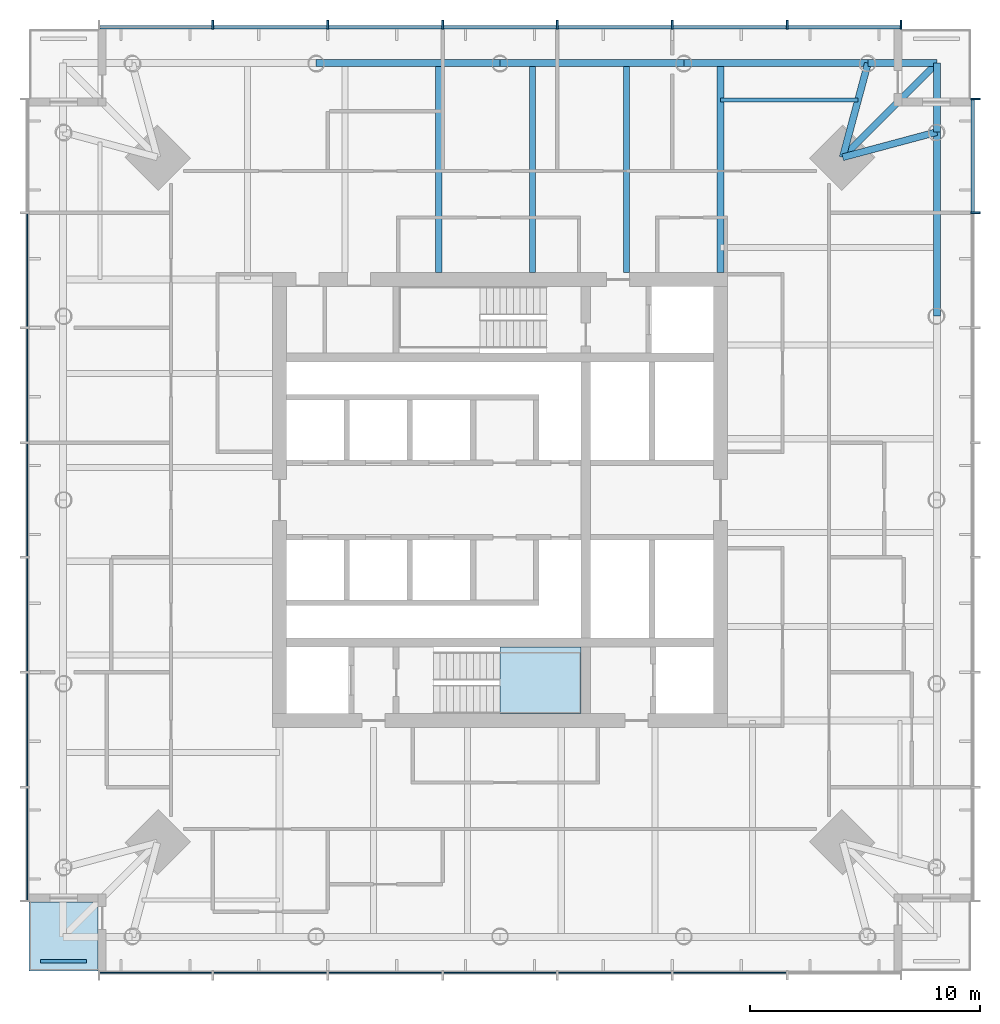
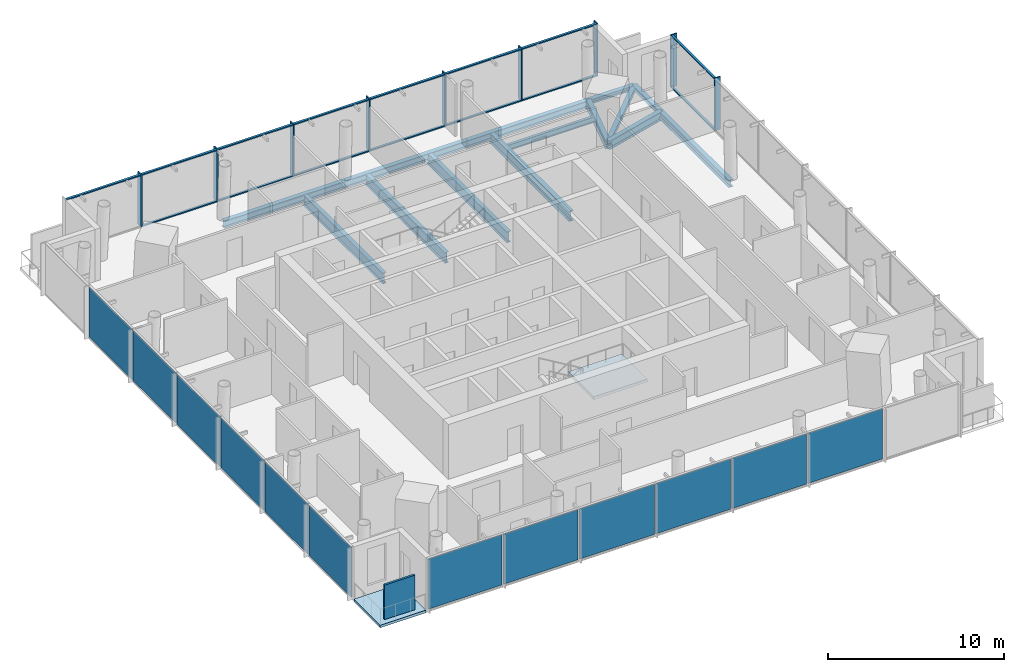
# One storey, part 3 of 9: 24 members, 14 beams, 13 plates, 2 slabs, 5 elements without a shape of their own.
"""IFC4 building model written with IfcOpenShell, lengths in metres."""

from ifc_helpers import new_model, si_unit, direction, frame, origin, origin_2d, place, context, subcontext, project, spatial, polyline, rectangle, i_section, outline, extrude, material, layer, layer_set, material_profile, profile_set, type_object, element, aggregate, save


model = new_model("IFC4")

# Units and contexts
model_context = context("Model", 3, precision=1e-05, world=origin(), true_north=direction((0.0, 1.0)))
body_context = subcontext(model_context, "Body", "Model", "MODEL_VIEW")
ifc_project = project(units=[si_unit("LENGTHUNIT", "METRE"), si_unit("AREAUNIT", "SQUARE_METRE"), si_unit("VOLUMEUNIT", "CUBIC_METRE"), si_unit("PLANEANGLEUNIT", "RADIAN"), si_unit("MASSUNIT", "GRAM", prefix="KILO")], contexts=[model_context])

# Site, building, storey
site_placement = place(None, origin())
site = spatial("IfcSite", under=ifc_project, at=site_placement, CompositionType="ELEMENT")
building_placement = place(site_placement, origin())
building = spatial("IfcBuilding", under=site, at=building_placement, Name="Ostroluk Exchange", CompositionType="ELEMENT")
storey_placement = place(building_placement, frame((0.0, 0.0, 176.800048828125)))
storey = spatial("IfcBuildingStorey", under=building, at=storey_placement, Name="L45", CompositionType="ELEMENT", Elevation=176.800048828125)

# Beams
ifc_material_1 = material(Name="Steel S355", Category="steel")
ifc_material_profile_1 = material_profile(ifc_material_1, i_section(OverallWidth=0.300048828125, OverallDepth=0.300048828125, WebThickness=0.010986328125, FlangeThickness=0.01904296875, FilletRadius=0.027099609375, at=origin_2d()), Name="HEB 300")
ifc_profile_set_1 = profile_set([ifc_material_profile_1], Name="Steel S355")
beam_type_1 = type_object("IfcBeamType", Name="Balcony beam HEB 300", PredefinedType="BEAM", material=ifc_profile_set_1)
for number, where, z_axis, x_axis, name in (
    (1, (64.021484375, 62.021484375, -0.330078125), (0.0, 1.0, 0.0), (-1.0, 0.0, 0.0), "T1 east balcony beam a"),
    (2, (61.021484375, 65.021484375, -0.330078125), (1.0, 0.0, 0.0), (0.0, 1.0, 0.0), "T1 east balcony beam b"),
):
    element("IfcBeam", number, at=place(storey_placement, frame(where, z_axis=z_axis, x_axis=x_axis)), inside=storey, type_object=beam_type_1, Name=name, PredefinedType="BEAM", context=body_context, shape_type="SweptSolid", body=[
        extrude(i_section(OverallWidth=0.300048828125, OverallDepth=0.300048828125, WebThickness=0.010986328125, FlangeThickness=0.01904296875, FilletRadius=0.027099609375, at=origin_2d()), origin(), (0.0, 0.0, 1.0), 3.0),
    ])
beam_1_placement = place(storey_placement, frame((59.92138671875, 60.92138671875, -0.330078125), z_axis=(0.707106781187, 0.707106781187, 0.0), x_axis=(-0.707106781187, 0.707106781187, 0.0)))
element("IfcBeam", 3, at=beam_1_placement, inside=storey, type_object=beam_type_1, Name="T1 east balcony beam c", PredefinedType="BEAM", context=body_context, shape_type="SweptSolid", body=[
    extrude(i_section(OverallWidth=0.300048828125, OverallDepth=0.300048828125, WebThickness=0.010986328125, FlangeThickness=0.01904296875, FilletRadius=0.027099609375, at=origin_2d()), origin(), (0.0, 0.0, 1.0), 5.79833984375),
])
ifc_material_2 = material(Name="Steel S355", Category="steel")
ifc_material_profile_2 = material_profile(ifc_material_2, i_section(OverallWidth=0.300048828125, OverallDepth=0.60009765625, WebThickness=0.015380859375, FlangeThickness=0.030029296875, FilletRadius=0.027099609375, at=origin_2d()), Name="HEB 600")
ifc_profile_set_2 = profile_set([ifc_material_profile_2], Name="Steel S355")
beam_type_2 = type_object("IfcBeamType", Name="Corner edge beam HEB 600", PredefinedType="SPANDREL", material=ifc_profile_set_2)
for number, where, z_axis, x_axis, name in (
    (4, (59.92138671875, 60.92138671875, -0.47998046875), (0.965838624319, 0.259144268261, 0.0), (-0.259144268261, 0.965838624319, 0.0), "T1 east corner edge beam a"),
    (5, (59.92138671875, 60.92138671875, -0.47998046875), (0.259144268261, 0.965838624319, 0.0), (-0.965838624319, 0.259144268261, 0.0), "T1 east corner edge beam b"),
):
    element("IfcBeam", number, at=place(storey_placement, frame(where, z_axis=z_axis, x_axis=x_axis)), inside=storey, type_object=beam_type_2, Name=name, PredefinedType="SPANDREL", context=body_context, shape_type="SweptSolid", body=[
        extrude(i_section(OverallWidth=0.300048828125, OverallDepth=0.60009765625, WebThickness=0.015380859375, FlangeThickness=0.030029296875, FilletRadius=0.027099609375, at=origin_2d()), origin(), (0.0, 0.0, 1.0), 4.2451171875),
    ])
ifc_material_3 = material(Name="Steel S355", Category="steel")
ifc_material_profile_3 = material_profile(ifc_material_3, i_section(OverallWidth=0.179931640625, OverallDepth=0.39990234375, WebThickness=0.008544921875, FlangeThickness=0.013427734375, FilletRadius=0.02099609375, at=origin_2d()), Name="IPE 400")
ifc_profile_set_3 = profile_set([ifc_material_profile_3], Name="Steel S355")
beam_type_3 = type_object("IfcBeamType", Name="Floor beam IPE 400", PredefinedType="BEAM", material=ifc_profile_set_3)
beam_2_placement = place(storey_placement, frame((54.60009765625, 63.42138671875, -0.380126953125), z_axis=(1.0, 0.0, 0.0), x_axis=(0.0, 1.0, 0.0)))
element("IfcBeam", 6, at=beam_2_placement, inside=storey, type_object=beam_type_3, Name="T1 east floor beam 6", PredefinedType="BEAM", context=body_context, shape_type="SweptSolid", body=[
    extrude(i_section(OverallWidth=0.179931640625, OverallDepth=0.39990234375, WebThickness=0.008544921875, FlangeThickness=0.013427734375, FilletRadius=0.02099609375, at=origin_2d()), origin(), (0.0, 0.0, 1.0), 5.991943359375),
])
ifc_material_4 = material(Name="Steel S355", Category="steel")
ifc_material_profile_4 = material_profile(ifc_material_4, i_section(OverallWidth=0.264892578125, OverallDepth=0.7529296875, WebThickness=0.01318359375, FlangeThickness=0.01708984375, FilletRadius=0.01708984375, at=origin_2d()), Name="IPE 750x147")
ifc_profile_set_4 = profile_set([ifc_material_profile_4], Name="Steel S355")
beam_type_4 = type_object("IfcBeamType", Name="Floor beam IPE 750x147", PredefinedType="BEAM", material=ifc_profile_set_4)
for number, where, z_axis, x_axis, name in (
    (7, (50.51123046875, 55.89990234375, -0.556640625), (0.0, 1.0, 0.0), (-1.0, 0.0, 0.0), "T1 north floor beam 1"),
    (8, (46.42236328125, 55.89990234375, -0.556640625), (0.0, 1.0, 0.0), (-1.0, 0.0, 0.0), "T1 north floor beam 2"),
    (9, (42.333740234375, 55.89990234375, -0.556640625), (0.0, 1.0, 0.0), (-1.0, 0.0, 0.0), "T1 north floor beam 3"),
):
    element("IfcBeam", number, at=place(storey_placement, frame(where, z_axis=z_axis, x_axis=x_axis)), inside=storey, type_object=beam_type_4, Name=name, PredefinedType="BEAM", context=body_context, shape_type="SweptSolid", body=[
        extrude(i_section(OverallWidth=0.264892578125, OverallDepth=0.7529296875, WebThickness=0.01318359375, FlangeThickness=0.01708984375, FilletRadius=0.01708984375, at=origin_2d()), origin(), (0.0, 0.0, 1.0), 9.12158203125),
    ])
ifc_material_5 = material(Name="Steel S355", Category="steel")
ifc_material_profile_5 = material_profile(ifc_material_5, i_section(OverallWidth=0.300048828125, OverallDepth=0.699951171875, WebThickness=0.01708984375, FlangeThickness=0.031982421875, FilletRadius=0.027099609375, at=origin_2d()), Name="HEB 700")
ifc_profile_set_5 = profile_set([ifc_material_profile_5], Name="Steel S355")
beam_type_5 = type_object("IfcBeamType", Name="Girder HEB 700", PredefinedType="BEAM", material=ifc_profile_set_5)
beam_3_placement = place(storey_placement, frame((54.60009765625, 55.89990234375, -0.530029296875), z_axis=(0.0, 1.0, 0.0), x_axis=(-1.0, 0.0, 0.0)))
element("IfcBeam", 10, at=beam_3_placement, inside=storey, type_object=beam_type_5, Name="T1 east girder", PredefinedType="BEAM", context=body_context, shape_type="SweptSolid", body=[
    extrude(i_section(OverallWidth=0.300048828125, OverallDepth=0.699951171875, WebThickness=0.01708984375, FlangeThickness=0.031982421875, FilletRadius=0.027099609375, at=origin_2d()), origin(), (0.0, 0.0, 1.0), 9.12158203125),
])
ifc_material_6 = material(Name="Steel S355", Category="steel")
ifc_material_profile_6 = material_profile(ifc_material_6, i_section(OverallWidth=0.300048828125, OverallDepth=0.5, WebThickness=0.014404296875, FlangeThickness=0.028076171875, FilletRadius=0.027099609375, at=origin_2d()), Name="HEB 500")
ifc_profile_set_6 = profile_set([ifc_material_profile_6], Name="Steel S355")
beam_type_6 = type_object("IfcBeamType", Name="Moment-connected edge beam HEB 500", PredefinedType="SPANDREL", material=ifc_profile_set_6)
for number, where, z_axis, x_axis, name in (
    (11, (64.021484375, 54.0107421875, -0.429931640625), (0.0, 1.0, 0.0), (-1.0, 0.0, 0.0), "T1 east edge beam 4"),
    (12, (61.021484375, 65.021484375, -0.429931640625), (-1.0, 0.0, 0.0), (0.0, -1.0, 0.0), "T1 north edge beam 1"),
    (13, (53.0107421875, 65.021484375, -0.429931640625), (-1.0, 0.0, 0.0), (0.0, -1.0, 0.0), "T1 north edge beam 2"),
    (14, (45.0, 65.021484375, -0.429931640625), (-1.0, 0.0, 0.0), (0.0, -1.0, 0.0), "T1 north edge beam 3"),
):
    element("IfcBeam", number, at=place(storey_placement, frame(where, z_axis=z_axis, x_axis=x_axis)), inside=storey, type_object=beam_type_6, Name=name, PredefinedType="SPANDREL", context=body_context, shape_type="SweptSolid", body=[
        extrude(i_section(OverallWidth=0.300048828125, OverallDepth=0.5, WebThickness=0.014404296875, FlangeThickness=0.028076171875, FilletRadius=0.027099609375, at=origin_2d()), origin(), (0.0, 0.0, 1.0), 8.0107421875),
    ])

# Curtain wall, members
ifc_material_7 = material(Name="Laminated clear glass", Category="glass")
curtain_wall_type = type_object("IfcCurtainWallType", Name="Office tower facade", PredefinedType="USERDEFINED", material=ifc_material_7)
curtain_wall_1_placement = place(storey_placement, origin())
curtain_wall_1 = element("IfcCurtainWall", 15, at=curtain_wall_1_placement, inside=storey, type_object=curtain_wall_type, Name="Office tower east facade L45", ObjectType="UNITISED CURTAIN WALL", PredefinedType="USERDEFINED")
ifc_material_8 = material(Name="Aluminium mullion", Category="aluminium")
ifc_material_profile_7 = material_profile(ifc_material_8, rectangle(XDim=0.14990234375, YDim=0.080078125, at=origin_2d()), Name="Sill transom 80 x 150")
ifc_profile_set_7 = profile_set([ifc_material_profile_7], Name="Aluminium mullion")
member_type_1 = type_object("IfcMemberType", Name="Sill transom 80 x 150", PredefinedType="USERDEFINED", material=ifc_profile_set_7)
member_1_placement = place(storey_placement, frame((65.574951171875, 58.5400390625, 0.0400390625), z_axis=(0.0, 1.0, 0.0), x_axis=(-1.0, 0.0, 0.0)))
member_1 = element("IfcMember", 16, at=member_1_placement, type_object=member_type_1, Name="CW-O1 transom 7.1", ObjectType="TRANSOM", PredefinedType="USERDEFINED", context=body_context, shape_type="SweptSolid", body=[
    extrude(rectangle(XDim=0.14990234375, YDim=0.080078125, at=origin_2d()), origin(), (0.0, 0.0, 1.0), 4.8798828125),
])
member_2_placement = place(storey_placement, frame((65.574951171875, 58.5400390625, 3.60986328125), z_axis=(0.0, 1.0, 0.0), x_axis=(-1.0, 0.0, 0.0)))
member_2 = element("IfcMember", 17, at=member_2_placement, type_object=member_type_1, Name="CW-O1 transom 7.2", ObjectType="TRANSOM", PredefinedType="USERDEFINED", context=body_context, shape_type="SweptSolid", body=[
    extrude(rectangle(XDim=0.14990234375, YDim=0.080078125, at=origin_2d()), origin(), (0.0, 0.0, 1.0), 4.8798828125),
])

curtain_wall_2_placement = place(storey_placement, origin())
curtain_wall_2 = element("IfcCurtainWall", 18, at=curtain_wall_2_placement, inside=storey, type_object=curtain_wall_type, Name="Office tower north facade L45", ObjectType="UNITISED CURTAIN WALL", PredefinedType="USERDEFINED")
member_3_placement = place(storey_placement, frame((62.419921875, 66.574951171875, 0.0400390625), z_axis=(-1.0, 0.0, 0.0), x_axis=(0.0, -1.0, 0.0)))
member_3 = element("IfcMember", 19, at=member_3_placement, type_object=member_type_1, Name="CW-O1 transom 1.1", ObjectType="TRANSOM", PredefinedType="USERDEFINED", context=body_context, shape_type="SweptSolid", body=[
    extrude(rectangle(XDim=0.14990234375, YDim=0.080078125, at=origin_2d()), origin(), (0.0, 0.0, 1.0), 4.8798828125),
])
member_4_placement = place(storey_placement, frame((62.419921875, 66.574951171875, 3.60986328125), z_axis=(-1.0, 0.0, 0.0), x_axis=(0.0, -1.0, 0.0)))
member_4 = element("IfcMember", 20, at=member_4_placement, type_object=member_type_1, Name="CW-O1 transom 1.2", ObjectType="TRANSOM", PredefinedType="USERDEFINED", context=body_context, shape_type="SweptSolid", body=[
    extrude(rectangle(XDim=0.14990234375, YDim=0.080078125, at=origin_2d()), origin(), (0.0, 0.0, 1.0), 4.8798828125),
])
member_5_placement = place(storey_placement, frame((57.4599609375, 66.574951171875, 0.0400390625), z_axis=(-1.0, 0.0, 0.0), x_axis=(0.0, -1.0, 0.0)))
member_5 = element("IfcMember", 21, at=member_5_placement, type_object=member_type_1, Name="CW-O1 transom 2.1", ObjectType="TRANSOM", PredefinedType="USERDEFINED", context=body_context, shape_type="SweptSolid", body=[
    extrude(rectangle(XDim=0.14990234375, YDim=0.080078125, at=origin_2d()), origin(), (0.0, 0.0, 1.0), 4.919921875),
])
member_6_placement = place(storey_placement, frame((57.4599609375, 66.574951171875, 3.60986328125), z_axis=(-1.0, 0.0, 0.0), x_axis=(0.0, -1.0, 0.0)))
member_6 = element("IfcMember", 22, at=member_6_placement, type_object=member_type_1, Name="CW-O1 transom 2.2", ObjectType="TRANSOM", PredefinedType="USERDEFINED", context=body_context, shape_type="SweptSolid", body=[
    extrude(rectangle(XDim=0.14990234375, YDim=0.080078125, at=origin_2d()), origin(), (0.0, 0.0, 1.0), 4.919921875),
])
member_7_placement = place(storey_placement, frame((52.4599609375, 66.574951171875, 0.0400390625), z_axis=(-1.0, 0.0, 0.0), x_axis=(0.0, -1.0, 0.0)))
member_7 = element("IfcMember", 23, at=member_7_placement, type_object=member_type_1, Name="CW-O1 transom 3.1", ObjectType="TRANSOM", PredefinedType="USERDEFINED", context=body_context, shape_type="SweptSolid", body=[
    extrude(rectangle(XDim=0.14990234375, YDim=0.080078125, at=origin_2d()), origin(), (0.0, 0.0, 1.0), 4.919921875),
])
member_8_placement = place(storey_placement, frame((52.4599609375, 66.574951171875, 3.60986328125), z_axis=(-1.0, 0.0, 0.0), x_axis=(0.0, -1.0, 0.0)))
member_8 = element("IfcMember", 24, at=member_8_placement, type_object=member_type_1, Name="CW-O1 transom 3.2", ObjectType="TRANSOM", PredefinedType="USERDEFINED", context=body_context, shape_type="SweptSolid", body=[
    extrude(rectangle(XDim=0.14990234375, YDim=0.080078125, at=origin_2d()), origin(), (0.0, 0.0, 1.0), 4.919921875),
])
member_9_placement = place(storey_placement, frame((47.4599609375, 66.574951171875, 0.0400390625), z_axis=(-1.0, 0.0, 0.0), x_axis=(0.0, -1.0, 0.0)))
member_9 = element("IfcMember", 25, at=member_9_placement, type_object=member_type_1, Name="CW-O1 transom 4.1", ObjectType="TRANSOM", PredefinedType="USERDEFINED", context=body_context, shape_type="SweptSolid", body=[
    extrude(rectangle(XDim=0.14990234375, YDim=0.080078125, at=origin_2d()), origin(), (0.0, 0.0, 1.0), 4.919921875),
])
member_10_placement = place(storey_placement, frame((47.4599609375, 66.574951171875, 3.60986328125), z_axis=(-1.0, 0.0, 0.0), x_axis=(0.0, -1.0, 0.0)))
member_10 = element("IfcMember", 26, at=member_10_placement, type_object=member_type_1, Name="CW-O1 transom 4.2", ObjectType="TRANSOM", PredefinedType="USERDEFINED", context=body_context, shape_type="SweptSolid", body=[
    extrude(rectangle(XDim=0.14990234375, YDim=0.080078125, at=origin_2d()), origin(), (0.0, 0.0, 1.0), 4.919921875),
])
member_11_placement = place(storey_placement, frame((42.4599609375, 66.574951171875, 0.0400390625), z_axis=(-1.0, 0.0, 0.0), x_axis=(0.0, -1.0, 0.0)))
member_11 = element("IfcMember", 27, at=member_11_placement, type_object=member_type_1, Name="CW-O1 transom 5.1", ObjectType="TRANSOM", PredefinedType="USERDEFINED", context=body_context, shape_type="SweptSolid", body=[
    extrude(rectangle(XDim=0.14990234375, YDim=0.080078125, at=origin_2d()), origin(), (0.0, 0.0, 1.0), 4.919921875),
])
member_12_placement = place(storey_placement, frame((42.4599609375, 66.574951171875, 3.60986328125), z_axis=(-1.0, 0.0, 0.0), x_axis=(0.0, -1.0, 0.0)))
member_12 = element("IfcMember", 28, at=member_12_placement, type_object=member_type_1, Name="CW-O1 transom 5.2", ObjectType="TRANSOM", PredefinedType="USERDEFINED", context=body_context, shape_type="SweptSolid", body=[
    extrude(rectangle(XDim=0.14990234375, YDim=0.080078125, at=origin_2d()), origin(), (0.0, 0.0, 1.0), 4.919921875),
])
member_13_placement = place(storey_placement, frame((37.4599609375, 66.574951171875, 0.0400390625), z_axis=(-1.0, 0.0, 0.0), x_axis=(0.0, -1.0, 0.0)))
member_13 = element("IfcMember", 29, at=member_13_placement, type_object=member_type_1, Name="CW-O1 transom 6.1", ObjectType="TRANSOM", PredefinedType="USERDEFINED", context=body_context, shape_type="SweptSolid", body=[
    extrude(rectangle(XDim=0.14990234375, YDim=0.080078125, at=origin_2d()), origin(), (0.0, 0.0, 1.0), 4.919921875),
])
member_14_placement = place(storey_placement, frame((37.4599609375, 66.574951171875, 3.60986328125), z_axis=(-1.0, 0.0, 0.0), x_axis=(0.0, -1.0, 0.0)))
member_14 = element("IfcMember", 30, at=member_14_placement, type_object=member_type_1, Name="CW-O1 transom 6.2", ObjectType="TRANSOM", PredefinedType="USERDEFINED", context=body_context, shape_type="SweptSolid", body=[
    extrude(rectangle(XDim=0.14990234375, YDim=0.080078125, at=origin_2d()), origin(), (0.0, 0.0, 1.0), 4.919921875),
])
member_15_placement = place(storey_placement, frame((32.4599609375, 66.574951171875, 3.60986328125), z_axis=(-1.0, 0.0, 0.0), x_axis=(0.0, -1.0, 0.0)))
member_15 = element("IfcMember", 31, at=member_15_placement, type_object=member_type_1, Name="CW-O1 transom 7.2", ObjectType="TRANSOM", PredefinedType="USERDEFINED", context=body_context, shape_type="SweptSolid", body=[
    extrude(rectangle(XDim=0.14990234375, YDim=0.080078125, at=origin_2d()), origin(), (0.0, 0.0, 1.0), 4.8798828125),
])

# Member
ifc_material_9 = material(Name="Aluminium mullion with limestone facing", Category="masonry")
ifc_material_profile_8 = material_profile(ifc_material_9, rectangle(XDim=0.39990234375, YDim=0.080078125, at=origin_2d()), Name="Tracery mullion 80 x 400")
ifc_profile_set_8 = profile_set([ifc_material_profile_8], Name="Aluminium mullion with limestone facing")
member_type_2 = type_object("IfcMemberType", Name="Tracery mullion 80 x 400", PredefinedType="MULLION", material=ifc_profile_set_8)
member_16_placement = place(storey_placement, frame((65.699951171875, 58.5, 0.0), z_axis=(0.0, 0.0, 1.0), x_axis=(-1.0, 0.0, 0.0)))
member_16 = element("IfcMember", 32, at=member_16_placement, type_object=member_type_2, Name="CW-O1 mullion 7", PredefinedType="MULLION", context=body_context, shape_type="SweptSolid", body=[
    extrude(rectangle(XDim=0.39990234375, YDim=0.080078125, at=origin_2d()), origin(), (0.0, 0.0, 1.0), 3.64990234375),
])

member_17_placement = place(storey_placement, frame((65.699951171875, 63.4599609375, 0.0), z_axis=(0.0, 0.0, 1.0), x_axis=(-1.0, 0.0, 0.0)))
member_17 = element("IfcMember", 33, at=member_17_placement, type_object=member_type_2, Name="CW-O1 mullion 8", PredefinedType="MULLION", context=body_context, shape_type="SweptSolid", body=[
    extrude(rectangle(XDim=0.39990234375, YDim=0.080078125, at=origin_2d()), origin(), (0.0, 0.0, 1.0), 3.64990234375),
])

aggregate(curtain_wall_1, [member_16, member_17, member_1, member_2])

member_18_placement = place(storey_placement, frame((62.4599609375, 66.699951171875, 0.0), z_axis=(0.0, 0.0, 1.0), x_axis=(0.0, -1.0, 0.0)))
member_18 = element("IfcMember", 34, at=member_18_placement, type_object=member_type_2, Name="CW-O1 mullion 1", PredefinedType="MULLION", context=body_context, shape_type="SweptSolid", body=[
    extrude(rectangle(XDim=0.39990234375, YDim=0.080078125, at=origin_2d()), origin(), (0.0, 0.0, 1.0), 3.64990234375),
])

member_19_placement = place(storey_placement, frame((57.5, 66.699951171875, 0.0), z_axis=(0.0, 0.0, 1.0), x_axis=(0.0, -1.0, 0.0)))
member_19 = element("IfcMember", 35, at=member_19_placement, type_object=member_type_2, Name="CW-O1 mullion 2", PredefinedType="MULLION", context=body_context, shape_type="SweptSolid", body=[
    extrude(rectangle(XDim=0.39990234375, YDim=0.080078125, at=origin_2d()), origin(), (0.0, 0.0, 1.0), 3.64990234375),
])

member_20_placement = place(storey_placement, frame((52.5, 66.699951171875, 0.0), z_axis=(0.0, 0.0, 1.0), x_axis=(0.0, -1.0, 0.0)))
member_20 = element("IfcMember", 36, at=member_20_placement, type_object=member_type_2, Name="CW-O1 mullion 3", PredefinedType="MULLION", context=body_context, shape_type="SweptSolid", body=[
    extrude(rectangle(XDim=0.39990234375, YDim=0.080078125, at=origin_2d()), origin(), (0.0, 0.0, 1.0), 3.64990234375),
])

member_21_placement = place(storey_placement, frame((47.5, 66.699951171875, 0.0), z_axis=(0.0, 0.0, 1.0), x_axis=(0.0, -1.0, 0.0)))
member_21 = element("IfcMember", 37, at=member_21_placement, type_object=member_type_2, Name="CW-O1 mullion 4", PredefinedType="MULLION", context=body_context, shape_type="SweptSolid", body=[
    extrude(rectangle(XDim=0.39990234375, YDim=0.080078125, at=origin_2d()), origin(), (0.0, 0.0, 1.0), 3.64990234375),
])

member_22_placement = place(storey_placement, frame((42.5, 66.699951171875, 0.0), z_axis=(0.0, 0.0, 1.0), x_axis=(0.0, -1.0, 0.0)))
member_22 = element("IfcMember", 38, at=member_22_placement, type_object=member_type_2, Name="CW-O1 mullion 5", PredefinedType="MULLION", context=body_context, shape_type="SweptSolid", body=[
    extrude(rectangle(XDim=0.39990234375, YDim=0.080078125, at=origin_2d()), origin(), (0.0, 0.0, 1.0), 3.64990234375),
])

member_23_placement = place(storey_placement, frame((37.5, 66.699951171875, 0.0), z_axis=(0.0, 0.0, 1.0), x_axis=(0.0, -1.0, 0.0)))
member_23 = element("IfcMember", 39, at=member_23_placement, type_object=member_type_2, Name="CW-O1 mullion 6", PredefinedType="MULLION", context=body_context, shape_type="SweptSolid", body=[
    extrude(rectangle(XDim=0.39990234375, YDim=0.080078125, at=origin_2d()), origin(), (0.0, 0.0, 1.0), 3.64990234375),
])

member_24_placement = place(storey_placement, frame((32.5, 66.699951171875, 0.0), z_axis=(0.0, 0.0, 1.0), x_axis=(0.0, -1.0, 0.0)))
member_24 = element("IfcMember", 40, at=member_24_placement, type_object=member_type_2, Name="CW-O1 mullion 7", PredefinedType="MULLION", context=body_context, shape_type="SweptSolid", body=[
    extrude(rectangle(XDim=0.39990234375, YDim=0.080078125, at=origin_2d()), origin(), (0.0, 0.0, 1.0), 3.64990234375),
])

aggregate(curtain_wall_2, [member_18, member_19, member_20, member_21, member_22, member_23, member_24, member_3, member_4, member_5, member_6, member_7, member_8, member_9, member_10, member_11, member_12, member_13, member_14, member_15])

# Slab
ifc_material_10 = material(Name="Concrete C35/45", Category="concrete")
ifc_layer_1 = layer(ifc_material_10, 0.179931640625)
ifc_layer_set_1 = layer_set([ifc_layer_1], Name="Balcony slab 180")
slab_type_1 = type_object("IfcSlabType", Name="Balcony slab 180", PredefinedType="USERDEFINED", material=ifc_layer_set_1)
slab_1_placement = place(storey_placement, frame((0.0, 0.0, -0.179931640625)))
element("IfcSlab", 41, at=slab_1_placement, inside=storey, type_object=slab_type_1, Name="Office tower SW corner balcony L45", ObjectType="BALCONY", PredefinedType="USERDEFINED", context=body_context, shape_type="SweptSolid", body=[
    extrude(outline(polyline([(24.5, 25.5), (27.5, 25.5), (27.5, 28.5), (24.5, 28.5), (24.5, 25.5)])), origin(), (0.0, 0.0, 1.0), 0.179931640625),
])

# Plate
ifc_material_11 = material(Name="Steel S355 trellis with planting", Category="steel")
ifc_layer_2 = layer(ifc_material_11, 0.14990234375)
ifc_layer_set_2 = layer_set([ifc_layer_2], Name="Planted screen 150")
plate_type_1 = type_object("IfcPlateType", Name="Planted screen 150", PredefinedType="USERDEFINED", material=ifc_layer_set_2)
plate_1_placement = place(storey_placement, frame((26.0, 25.925048828125, 0.0), z_axis=(0.0, 0.0, 1.0), x_axis=(1.0, 0.0, 0.0)))
element("IfcPlate", 42, at=plate_1_placement, inside=storey, type_object=plate_type_1, Name="Office tower SW planted screen L45", ObjectType="PLANTED SCREEN", PredefinedType="USERDEFINED", context=body_context, shape_type="SweptSolid", body=[
    extrude(rectangle(XDim=2.0, YDim=0.14990234375, at=origin_2d()), origin(), (0.0, 0.0, 1.0), 2.39990234375),
])

# Stair, slab
ifc_material_12 = material(Name="Concrete C30/37", Category="concrete")
stair_type = type_object("IfcStairType", Name="Exit stair half turn 3800", PredefinedType="HALF_TURN_STAIR", material=ifc_material_12)
stair_placement = place(storey_placement, origin())
stair = element("IfcStair", 43, at=stair_placement, inside=storey, type_object=stair_type, Name="Stair T1-S1 L45", PredefinedType="HALF_TURN_STAIR")
ifc_material_13 = material(Name="Concrete C30/37", Category="concrete")
ifc_layer_3 = layer(ifc_material_13, 0.199951171875)
ifc_layer_set_3 = layer_set([ifc_layer_3], Name="Stair landing 200")
slab_type_2 = type_object("IfcSlabType", Name="Stair landing 200", PredefinedType="LANDING", material=ifc_layer_set_3)
slab_2_placement = place(storey_placement, frame((0.0, 0.0, 1.699951171875)))
slab_2 = element("IfcSlab", 44, at=slab_2_placement, type_object=slab_type_2, Name="T1-S1 landing 1", PredefinedType="LANDING", context=body_context, shape_type="SweptSolid", body=[
    extrude(outline(polyline([(45.0, 36.699951171875), (45.0, 39.60009765625), (48.530029296875, 39.60009765625), (48.530029296875, 36.699951171875), (45.0, 36.699951171875)])), origin(), (0.0, 0.0, 1.0), 0.199951171875),
])
aggregate(stair, [slab_2])

# Curtain wall, plates
curtain_wall_3_placement = place(storey_placement, origin())
curtain_wall_3 = element("IfcCurtainWall", 45, at=curtain_wall_3_placement, inside=storey, type_object=curtain_wall_type, Name="Office tower south facade L45", ObjectType="UNITISED CURTAIN WALL", PredefinedType="USERDEFINED")
ifc_material_14 = material(Name="Laminated clear glass", Category="glass")
ifc_layer_4 = layer(ifc_material_14, 0.0439453125)
ifc_layer_set_4 = layer_set([ifc_layer_4], Name="Triple laminated clear glazing 44")
plate_type_2 = type_object("IfcPlateType", Name="Triple laminated clear glazing 44", PredefinedType="CURTAIN_PANEL", material=ifc_layer_set_4)
plate_2_placement = place(storey_placement, frame((30.02001953125, 25.425048828125, 0.080078125), z_axis=(0.0, 0.0, 1.0), x_axis=(1.0, 0.0, 0.0)))
plate_2 = element("IfcPlate", 46, at=plate_2_placement, type_object=plate_type_2, Name="CW-O1 panel 1.1", PredefinedType="CURTAIN_PANEL", context=body_context, shape_type="SweptSolid", body=[
    extrude(rectangle(XDim=4.8798828125, YDim=0.0439453125, at=origin_2d()), origin(), (0.0, 0.0, 1.0), 3.489990234375),
])
plate_3_placement = place(storey_placement, frame((35.0, 25.425048828125, 0.080078125), z_axis=(0.0, 0.0, 1.0), x_axis=(1.0, 0.0, 0.0)))
plate_3 = element("IfcPlate", 47, at=plate_3_placement, type_object=plate_type_2, Name="CW-O1 panel 2.1", PredefinedType="CURTAIN_PANEL", context=body_context, shape_type="SweptSolid", body=[
    extrude(rectangle(XDim=4.919921875, YDim=0.0439453125, at=origin_2d()), origin(), (0.0, 0.0, 1.0), 3.489990234375),
])
plate_4_placement = place(storey_placement, frame((40.0, 25.425048828125, 0.080078125), z_axis=(0.0, 0.0, 1.0), x_axis=(1.0, 0.0, 0.0)))
plate_4 = element("IfcPlate", 48, at=plate_4_placement, type_object=plate_type_2, Name="CW-O1 panel 3.1", PredefinedType="CURTAIN_PANEL", context=body_context, shape_type="SweptSolid", body=[
    extrude(rectangle(XDim=4.919921875, YDim=0.0439453125, at=origin_2d()), origin(), (0.0, 0.0, 1.0), 3.489990234375),
])
plate_5_placement = place(storey_placement, frame((45.0, 25.425048828125, 0.080078125), z_axis=(0.0, 0.0, 1.0), x_axis=(1.0, 0.0, 0.0)))
plate_5 = element("IfcPlate", 49, at=plate_5_placement, type_object=plate_type_2, Name="CW-O1 panel 4.1", PredefinedType="CURTAIN_PANEL", context=body_context, shape_type="SweptSolid", body=[
    extrude(rectangle(XDim=4.919921875, YDim=0.0439453125, at=origin_2d()), origin(), (0.0, 0.0, 1.0), 3.489990234375),
])
plate_6_placement = place(storey_placement, frame((50.0, 25.425048828125, 0.080078125), z_axis=(0.0, 0.0, 1.0), x_axis=(1.0, 0.0, 0.0)))
plate_6 = element("IfcPlate", 50, at=plate_6_placement, type_object=plate_type_2, Name="CW-O1 panel 5.1", PredefinedType="CURTAIN_PANEL", context=body_context, shape_type="SweptSolid", body=[
    extrude(rectangle(XDim=4.919921875, YDim=0.0439453125, at=origin_2d()), origin(), (0.0, 0.0, 1.0), 3.489990234375),
])
plate_7_placement = place(storey_placement, frame((55.0, 25.425048828125, 0.080078125), z_axis=(0.0, 0.0, 1.0), x_axis=(1.0, 0.0, 0.0)))
plate_7 = element("IfcPlate", 51, at=plate_7_placement, type_object=plate_type_2, Name="CW-O1 panel 6.1", PredefinedType="CURTAIN_PANEL", context=body_context, shape_type="SweptSolid", body=[
    extrude(rectangle(XDim=4.919921875, YDim=0.0439453125, at=origin_2d()), origin(), (0.0, 0.0, 1.0), 3.489990234375),
])
aggregate(curtain_wall_3, [plate_2, plate_3, plate_4, plate_5, plate_6, plate_7])

curtain_wall_4_placement = place(storey_placement, origin())
curtain_wall_4 = element("IfcCurtainWall", 52, at=curtain_wall_4_placement, inside=storey, type_object=curtain_wall_type, Name="Office tower west facade L45", ObjectType="UNITISED CURTAIN WALL", PredefinedType="USERDEFINED")
plate_8_placement = place(storey_placement, frame((24.425048828125, 56.0, 0.080078125), z_axis=(0.0, 0.0, 1.0), x_axis=(0.0, -1.0, 0.0)))
plate_8 = element("IfcPlate", 53, at=plate_8_placement, type_object=plate_type_2, Name="CW-O1 panel 2.1", PredefinedType="CURTAIN_PANEL", context=body_context, shape_type="SweptSolid", body=[
    extrude(rectangle(XDim=4.919921875, YDim=0.0439453125, at=origin_2d()), origin(), (0.0, 0.0, 1.0), 3.489990234375),
])
plate_9_placement = place(storey_placement, frame((24.425048828125, 51.0, 0.080078125), z_axis=(0.0, 0.0, 1.0), x_axis=(0.0, -1.0, 0.0)))
plate_9 = element("IfcPlate", 54, at=plate_9_placement, type_object=plate_type_2, Name="CW-O1 panel 3.1", PredefinedType="CURTAIN_PANEL", context=body_context, shape_type="SweptSolid", body=[
    extrude(rectangle(XDim=4.919921875, YDim=0.0439453125, at=origin_2d()), origin(), (0.0, 0.0, 1.0), 3.489990234375),
])
plate_10_placement = place(storey_placement, frame((24.425048828125, 46.0, 0.080078125), z_axis=(0.0, 0.0, 1.0), x_axis=(0.0, -1.0, 0.0)))
plate_10 = element("IfcPlate", 55, at=plate_10_placement, type_object=plate_type_2, Name="CW-O1 panel 4.1", PredefinedType="CURTAIN_PANEL", context=body_context, shape_type="SweptSolid", body=[
    extrude(rectangle(XDim=4.919921875, YDim=0.0439453125, at=origin_2d()), origin(), (0.0, 0.0, 1.0), 3.489990234375),
])
plate_11_placement = place(storey_placement, frame((24.425048828125, 41.0, 0.080078125), z_axis=(0.0, 0.0, 1.0), x_axis=(0.0, -1.0, 0.0)))
plate_11 = element("IfcPlate", 56, at=plate_11_placement, type_object=plate_type_2, Name="CW-O1 panel 5.1", PredefinedType="CURTAIN_PANEL", context=body_context, shape_type="SweptSolid", body=[
    extrude(rectangle(XDim=4.919921875, YDim=0.0439453125, at=origin_2d()), origin(), (0.0, 0.0, 1.0), 3.489990234375),
])
plate_12_placement = place(storey_placement, frame((24.425048828125, 36.0, 0.080078125), z_axis=(0.0, 0.0, 1.0), x_axis=(0.0, -1.0, 0.0)))
plate_12 = element("IfcPlate", 57, at=plate_12_placement, type_object=plate_type_2, Name="CW-O1 panel 6.1", PredefinedType="CURTAIN_PANEL", context=body_context, shape_type="SweptSolid", body=[
    extrude(rectangle(XDim=4.919921875, YDim=0.0439453125, at=origin_2d()), origin(), (0.0, 0.0, 1.0), 3.489990234375),
])
plate_13_placement = place(storey_placement, frame((24.425048828125, 31.02001953125, 0.080078125), z_axis=(0.0, 0.0, 1.0), x_axis=(0.0, -1.0, 0.0)))
plate_13 = element("IfcPlate", 58, at=plate_13_placement, type_object=plate_type_2, Name="CW-O1 panel 7.1", PredefinedType="CURTAIN_PANEL", context=body_context, shape_type="SweptSolid", body=[
    extrude(rectangle(XDim=4.8798828125, YDim=0.0439453125, at=origin_2d()), origin(), (0.0, 0.0, 1.0), 3.489990234375),
])
aggregate(curtain_wall_4, [plate_8, plate_9, plate_10, plate_11, plate_12, plate_13])

save(model, "model.ifc")
